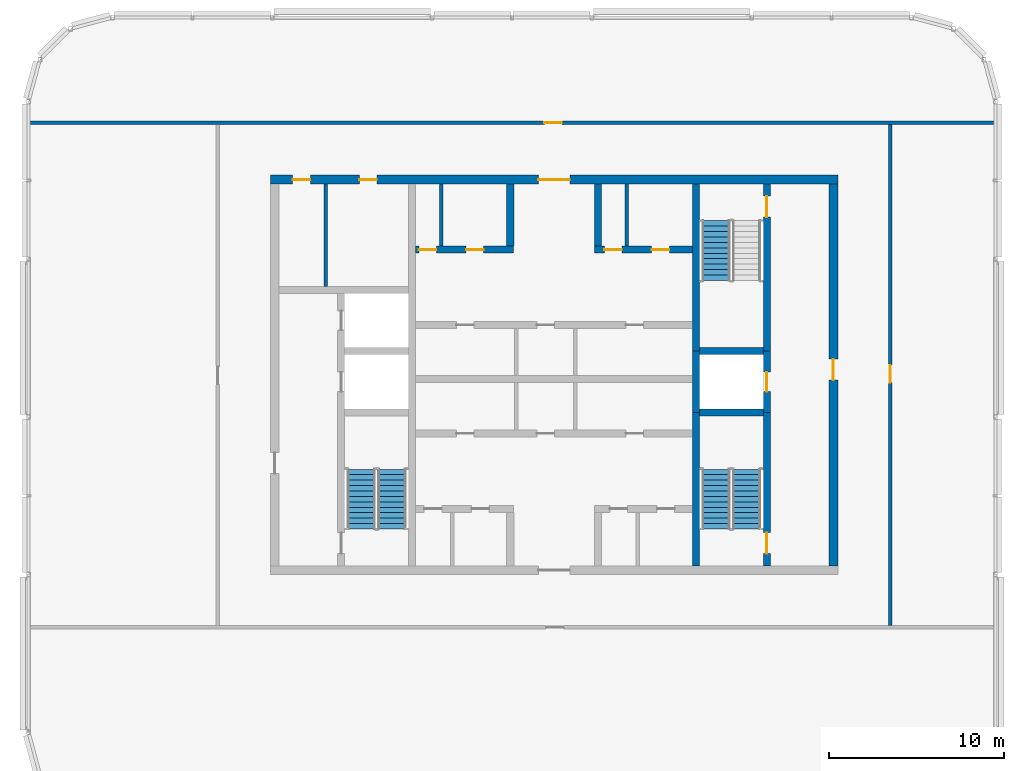
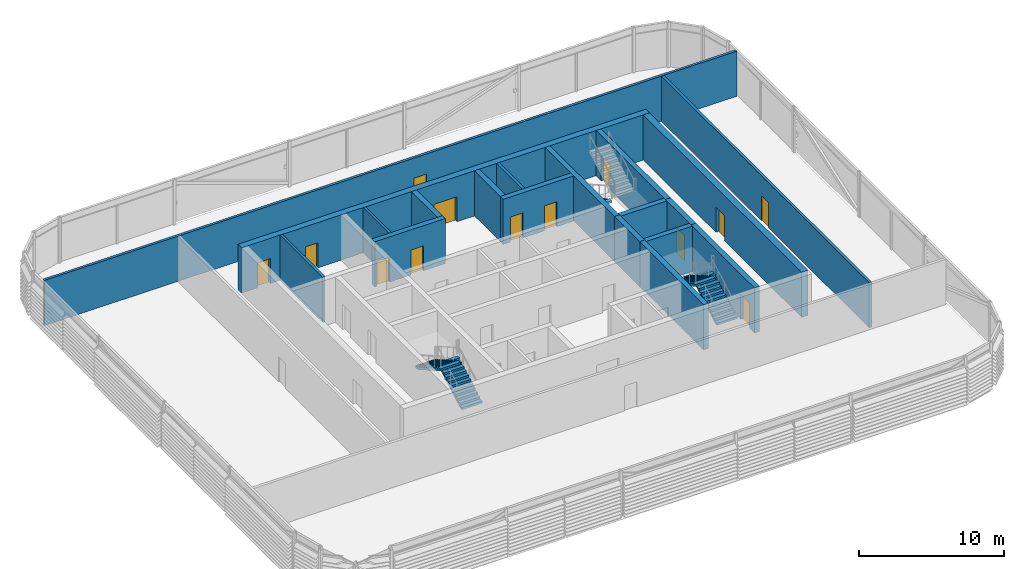
# One storey, part 16 of 28: 19 walls, 13 doors, 5 stair flights, 13 openings, 3 elements without a shape of their own.
"""IFC4 building model written with IfcOpenShell, lengths in metres."""

from ifc_helpers import new_model, si_unit, direction, frame, frame_2d, origin, place, context, subcontext, project, spatial, polyline, rectangle, outline, extrude, material, layer, layer_set, type_object, element, fill, aggregate, save


model = new_model("IFC4")

# Units and contexts
model_context = context("Model", 3, precision=1e-05, world=origin(), true_north=direction((0.0, 1.0)))
body_context = subcontext(model_context, "Body", "Model", "MODEL_VIEW")
ifc_project = project(units=[si_unit("LENGTHUNIT", "METRE"), si_unit("AREAUNIT", "SQUARE_METRE"), si_unit("VOLUMEUNIT", "CUBIC_METRE"), si_unit("PLANEANGLEUNIT", "RADIAN"), si_unit("MASSUNIT", "GRAM", prefix="KILO")], contexts=[model_context])

# Site, building, storey
site_placement = place(None, origin())
site = spatial("IfcSite", under=ifc_project, at=site_placement, CompositionType="ELEMENT")
building_placement = place(site_placement, origin())
building = spatial("IfcBuilding", under=site, at=building_placement, Name="Madar Terraces", CompositionType="ELEMENT")
storey_placement = place(building_placement, frame((0.0, 0.0, 305.89990234375)))
storey = spatial("IfcBuildingStorey", under=building, at=storey_placement, Name="L79", CompositionType="ELEMENT", Elevation=305.89990234375)

# Walls
ifc_material_1 = material(Name="Concrete C50/60", Category="concrete")
ifc_layer_1 = layer(ifc_material_1, 0.39990234375)
ifc_layer_set_1 = layer_set([ifc_layer_1], Name="Concrete C50/60 (CIW6 RC wall 400)")
wall_type_1 = type_object("IfcWallType", Name="CIW6 RC wall 400", PredefinedType="SHEAR", material=ifc_layer_set_1)
wall_1_placement = place(storey_placement, frame((39.300048828125, 15.5, 0.0), z_axis=(0.0, 0.0, 1.0), x_axis=(0.0, 1.0, 0.0)))
element("IfcWall", 1, at=wall_1_placement, inside=storey, type_object=wall_type_1, Name="CORE SHAFT WALL", PredefinedType="SHEAR", context=body_context, shape_type="SweptSolid", body=[
    extrude(rectangle(XDim=8.75, YDim=0.39990234375, at=frame_2d((4.375, 0.0))), origin(), (0.0, 0.0, 1.0), 3.800048828125),
])
wall_2_placement = place(storey_placement, frame((39.300048828125, 24.25, 0.0), z_axis=(0.0, 0.0, 1.0), x_axis=(0.0, 1.0, 0.0)))
element("IfcWall", 2, at=wall_2_placement, inside=storey, type_object=wall_type_1, Name="CORE SHAFT WALL", PredefinedType="SHEAR", context=body_context, shape_type="SweptSolid", body=[
    extrude(rectangle(XDim=3.5, YDim=0.39990234375, at=frame_2d((1.75, 0.0))), origin(), (0.0, 0.0, 1.0), 3.800048828125),
])
wall_3_placement = place(storey_placement, frame((39.300048828125, 27.75, 0.0), z_axis=(0.0, 0.0, 1.0), x_axis=(0.0, 1.0, 0.0)))
element("IfcWall", 3, at=wall_3_placement, inside=storey, type_object=wall_type_1, Name="CORE SHAFT WALL", PredefinedType="SHEAR", context=body_context, shape_type="SweptSolid", body=[
    extrude(rectangle(XDim=9.550048828125, YDim=0.39990234375, at=frame_2d((4.77490234375, 0.0))), origin(), (0.0, 0.0, 1.0), 3.800048828125),
])

# Wall, opening, door
wall_4_placement = place(storey_placement, frame((43.35009765625, 15.5, 0.0), z_axis=(0.0, 0.0, 1.0), x_axis=(0.0, 1.0, 0.0)))
wall_4 = element("IfcWall", 4, at=wall_4_placement, inside=storey, type_object=wall_type_1, Name="CORE SHAFT WALL", PredefinedType="SHEAR", context=body_context, shape_type="SweptSolid", body=[
    extrude(rectangle(XDim=8.75, YDim=0.39990234375, at=frame_2d((4.375, 0.0))), origin(), (0.0, 0.0, 1.0), 3.800048828125),
])
opening_1_placement = place(wall_4_placement, frame((0.699951171875, 0.0, 0.0)))
opening_1 = element("IfcOpeningElement", 5, at=opening_1_placement, cuts=wall_4, Name="Opening SD1", PredefinedType="OPENING", context=body_context, shape_type="SweptSolid", body=[
    extrude(rectangle(XDim=1.199951171875, YDim=2.10009765625, at=frame_2d((0.60009765625, 1.050048828125))), frame((0.0, 0.2099609375, 0.0), z_axis=(0.0, -1.0, 0.0), x_axis=(1.0, 0.0, 0.0)), (0.0, 0.0, 1.0), 0.419921875),
])
ifc_material_2 = material(Name="Steel door leaf", Category="steel")
door_type_1 = type_object("IfcDoorType", Name="Stair door 1200 x 2100", OperationType="NOTDEFINED", PredefinedType="DOOR", material=ifc_material_2)
door_1_placement = place(opening_1_placement, origin())
door_1 = element("IfcDoor", 6, at=door_1_placement, inside=storey, type_object=door_type_1, Name="STAIR DOOR", OperationType="SINGLE_SWING_RIGHT", OverallHeight=2.10009765625, OverallWidth=1.199951171875, PredefinedType="DOOR", context=body_context, shape_type="SweptSolid", body=[
    extrude(rectangle(XDim=1.199951171875, YDim=2.10009765625, at=frame_2d((0.60009765625, 1.050048828125))), frame((0.0, 0.02490234375, 0.0), z_axis=(0.0, -1.0, 0.0), x_axis=(1.0, 0.0, 0.0)), (0.0, 0.0, 1.0), 0.050048828125),
])
fill(opening_1, door_1)

wall_5_placement = place(storey_placement, frame((43.35009765625, 24.25, 0.0), z_axis=(0.0, 0.0, 1.0), x_axis=(0.0, 1.0, 0.0)))
wall_5 = element("IfcWall", 7, at=wall_5_placement, inside=storey, type_object=wall_type_1, Name="CORE SHAFT WALL", PredefinedType="SHEAR", context=body_context, shape_type="SweptSolid", body=[
    extrude(rectangle(XDim=3.5, YDim=0.39990234375, at=frame_2d((1.75, 0.0))), origin(), (0.0, 0.0, 1.0), 3.800048828125),
])
opening_2_placement = place(wall_5_placement, frame((1.199951171875, 0.0, 0.0)))
opening_2 = element("IfcOpeningElement", 8, at=opening_2_placement, cuts=wall_5, Name="Opening LD", PredefinedType="OPENING", context=body_context, shape_type="SweptSolid", body=[
    extrude(rectangle(XDim=1.10009765625, YDim=2.10009765625, at=frame_2d((0.550048828125, 1.050048828125))), frame((0.0, 0.2099609375, 0.0), z_axis=(0.0, -1.0, 0.0), x_axis=(1.0, 0.0, 0.0)), (0.0, 0.0, 1.0), 0.419921875),
])
ifc_material_3 = material(Name="Stainless steel panel", Category="steel")
door_type_2 = type_object("IfcDoorType", Name="Lift landing door 1100 x 2100", OperationType="DOUBLE_DOOR_SLIDING", PredefinedType="DOOR", material=ifc_material_3)
door_2_placement = place(opening_2_placement, origin())
door_2 = element("IfcDoor", 9, at=door_2_placement, inside=storey, type_object=door_type_2, Name="LIFT LANDING DOOR", OperationType="DOUBLE_DOOR_SLIDING", OverallHeight=2.10009765625, OverallWidth=1.10009765625, PredefinedType="DOOR", context=body_context, shape_type="SweptSolid", body=[
    extrude(rectangle(XDim=1.10009765625, YDim=2.10009765625, at=frame_2d((0.550048828125, 1.050048828125))), frame((0.0, 0.02490234375, 0.0), z_axis=(0.0, -1.0, 0.0), x_axis=(1.0, 0.0, 0.0)), (0.0, 0.0, 1.0), 0.050048828125),
])
fill(opening_2, door_2)

wall_6_placement = place(storey_placement, frame((43.35009765625, 27.75, 0.0), z_axis=(0.0, 0.0, 1.0), x_axis=(0.0, 1.0, 0.0)))
wall_6 = element("IfcWall", 10, at=wall_6_placement, inside=storey, type_object=wall_type_1, Name="CORE SHAFT WALL", PredefinedType="SHEAR", context=body_context, shape_type="SweptSolid", body=[
    extrude(rectangle(XDim=9.550048828125, YDim=0.39990234375, at=frame_2d((4.77490234375, 0.0))), origin(), (0.0, 0.0, 1.0), 3.800048828125),
])
opening_3_placement = place(wall_6_placement, frame((7.64990234375, 0.0, 0.0)))
opening_3 = element("IfcOpeningElement", 11, at=opening_3_placement, cuts=wall_6, Name="Opening SD1", PredefinedType="OPENING", context=body_context, shape_type="SweptSolid", body=[
    extrude(rectangle(XDim=1.199951171875, YDim=2.10009765625, at=frame_2d((0.60009765625, 1.050048828125))), frame((0.0, 0.2099609375, 0.0), z_axis=(0.0, -1.0, 0.0), x_axis=(1.0, 0.0, 0.0)), (0.0, 0.0, 1.0), 0.419921875),
])
door_3_placement = place(opening_3_placement, origin())
door_3 = element("IfcDoor", 12, at=door_3_placement, inside=storey, type_object=door_type_1, Name="STAIR DOOR", OperationType="SINGLE_SWING_LEFT", OverallHeight=2.10009765625, OverallWidth=1.199951171875, PredefinedType="DOOR", context=body_context, shape_type="SweptSolid", body=[
    extrude(rectangle(XDim=1.199951171875, YDim=2.10009765625, at=frame_2d((0.60009765625, 1.050048828125))), frame((0.0, 0.02490234375, 0.0), z_axis=(0.0, -1.0, 0.0), x_axis=(1.0, 0.0, 0.0)), (0.0, 0.0, 1.0), 0.050048828125),
])
fill(opening_3, door_3)

# Walls
for number, where, z_axis, x_axis, name in (
    (13, (39.5, 24.25, 0.0), (0.0, 0.0, 1.0), (1.0, 0.0, 0.0), "CORE SHAFT WALL"),
    (14, (39.5, 27.75, 0.0), (0.0, 0.0, 1.0), (1.0, 0.0, 0.0), "CORE SHAFT WALL"),
):
    element("IfcWall", number, at=place(storey_placement, frame(where, z_axis=z_axis, x_axis=x_axis)), inside=storey, type_object=wall_type_1, Name=name, PredefinedType="SHEAR", context=body_context, shape_type="SweptSolid", body=[
        extrude(rectangle(XDim=3.64990234375, YDim=0.39990234375, at=frame_2d((1.824951171875, 0.0))), origin(), (0.0, 0.0, 1.0), 3.800048828125),
    ])

# Wall, openings, doors
wall_7_placement = place(storey_placement, frame((23.300048828125, 33.550048828125, 0.0), z_axis=(0.0, 0.0, 1.0), x_axis=(1.0, 0.0, 0.0)))
wall_7 = element("IfcWall", 15, at=wall_7_placement, inside=storey, type_object=wall_type_1, Name="CORE SHAFT WALL", PredefinedType="SHEAR", context=body_context, shape_type="SweptSolid", body=[
    extrude(rectangle(XDim=5.599853515625, YDim=0.39990234375, at=frame_2d((2.7998046875, 0.0))), origin(), (0.0, 0.0, 1.0), 3.800048828125),
])
opening_4_placement = place(wall_7_placement, frame((0.177978515625, 0.0, 0.0)))
opening_4 = element("IfcOpeningElement", 16, at=opening_4_placement, cuts=wall_7, Name="Opening KD2", PredefinedType="OPENING", context=body_context, shape_type="SweptSolid", body=[
    extrude(rectangle(XDim=1.0, YDim=2.10009765625, at=frame_2d((0.5, 1.050048828125))), frame((0.0, 0.2099609375, 0.0), z_axis=(0.0, -1.0, 0.0), x_axis=(1.0, 0.0, 0.0)), (0.0, 0.0, 1.0), 0.419921875),
])
opening_5_placement = place(wall_7_placement, frame((2.8779296875, 0.0, 0.0)))
opening_5 = element("IfcOpeningElement", 17, at=opening_5_placement, cuts=wall_7, Name="Opening KD2", PredefinedType="OPENING", context=body_context, shape_type="SweptSolid", body=[
    extrude(rectangle(XDim=1.0, YDim=2.10009765625, at=frame_2d((0.5, 1.050048828125))), frame((0.0, 0.2099609375, 0.0), z_axis=(0.0, -1.0, 0.0), x_axis=(1.0, 0.0, 0.0)), (0.0, 0.0, 1.0), 0.419921875),
])
ifc_material_4 = material(Name="Steel door leaf", Category="steel")
door_type_3 = type_object("IfcDoorType", Name="Service room door 1000 x 2100", OperationType="NOTDEFINED", PredefinedType="DOOR", material=ifc_material_4)
door_4_placement = place(opening_4_placement, frame((1.0, 0.0, 0.0), z_axis=(0.0, 0.0, 1.0), x_axis=(-1.0, 0.0, 0.0)))
door_4 = element("IfcDoor", 18, at=door_4_placement, inside=storey, type_object=door_type_3, Name="SERVICE ROOM DOOR", OperationType="SINGLE_SWING_RIGHT", OverallHeight=2.10009765625, OverallWidth=1.0, PredefinedType="DOOR", context=body_context, shape_type="SweptSolid", body=[
    extrude(rectangle(XDim=1.0, YDim=2.10009765625, at=frame_2d((0.5, 1.050048828125))), frame((0.0, 0.02490234375, 0.0), z_axis=(0.0, -1.0, 0.0), x_axis=(1.0, 0.0, 0.0)), (0.0, 0.0, 1.0), 0.050048828125),
])
fill(opening_4, door_4)
door_5_placement = place(opening_5_placement, frame((1.0, 0.0, 0.0), z_axis=(0.0, 0.0, 1.0), x_axis=(-1.0, 0.0, 0.0)))
door_5 = element("IfcDoor", 19, at=door_5_placement, inside=storey, type_object=door_type_3, Name="SERVICE ROOM DOOR", OperationType="SINGLE_SWING_LEFT", OverallHeight=2.10009765625, OverallWidth=1.0, PredefinedType="DOOR", context=body_context, shape_type="SweptSolid", body=[
    extrude(rectangle(XDim=1.0, YDim=2.10009765625, at=frame_2d((0.5, 1.050048828125))), frame((0.0, 0.02490234375, 0.0), z_axis=(0.0, -1.0, 0.0), x_axis=(1.0, 0.0, 0.0)), (0.0, 0.0, 1.0), 0.050048828125),
])
fill(opening_5, door_5)

wall_8_placement = place(storey_placement, frame((33.5, 33.550048828125, 0.0), z_axis=(0.0, 0.0, 1.0), x_axis=(1.0, 0.0, 0.0)))
wall_8 = element("IfcWall", 20, at=wall_8_placement, inside=storey, type_object=wall_type_1, Name="CORE SHAFT WALL", PredefinedType="SHEAR", context=body_context, shape_type="SweptSolid", body=[
    extrude(rectangle(XDim=5.60009765625, YDim=0.39990234375, at=frame_2d((2.800048828125, 0.0))), origin(), (0.0, 0.0, 1.0), 3.800048828125),
])
opening_6_placement = place(wall_8_placement, frame((0.577880859375, 0.0, 0.0)))
opening_6 = element("IfcOpeningElement", 21, at=opening_6_placement, cuts=wall_8, Name="Opening KD2", PredefinedType="OPENING", context=body_context, shape_type="SweptSolid", body=[
    extrude(rectangle(XDim=1.0, YDim=2.10009765625, at=frame_2d((0.5, 1.050048828125))), frame((0.0, 0.2099609375, 0.0), z_axis=(0.0, -1.0, 0.0), x_axis=(1.0, 0.0, 0.0)), (0.0, 0.0, 1.0), 0.419921875),
])
opening_7_placement = place(wall_8_placement, frame((3.278076171875, 0.0, 0.0)))
opening_7 = element("IfcOpeningElement", 22, at=opening_7_placement, cuts=wall_8, Name="Opening KD2", PredefinedType="OPENING", context=body_context, shape_type="SweptSolid", body=[
    extrude(rectangle(XDim=1.0, YDim=2.10009765625, at=frame_2d((0.5, 1.050048828125))), frame((0.0, 0.2099609375, 0.0), z_axis=(0.0, -1.0, 0.0), x_axis=(1.0, 0.0, 0.0)), (0.0, 0.0, 1.0), 0.419921875),
])
door_6_placement = place(opening_6_placement, frame((1.0, 0.0, 0.0), z_axis=(0.0, 0.0, 1.0), x_axis=(-1.0, 0.0, 0.0)))
door_6 = element("IfcDoor", 23, at=door_6_placement, inside=storey, type_object=door_type_3, Name="SERVICE ROOM DOOR", OperationType="SINGLE_SWING_RIGHT", OverallHeight=2.10009765625, OverallWidth=1.0, PredefinedType="DOOR", context=body_context, shape_type="SweptSolid", body=[
    extrude(rectangle(XDim=1.0, YDim=2.10009765625, at=frame_2d((0.5, 1.050048828125))), frame((0.0, 0.02490234375, 0.0), z_axis=(0.0, -1.0, 0.0), x_axis=(1.0, 0.0, 0.0)), (0.0, 0.0, 1.0), 0.050048828125),
])
fill(opening_6, door_6)
door_7_placement = place(opening_7_placement, frame((1.0, 0.0, 0.0), z_axis=(0.0, 0.0, 1.0), x_axis=(-1.0, 0.0, 0.0)))
door_7 = element("IfcDoor", 24, at=door_7_placement, inside=storey, type_object=door_type_3, Name="SERVICE ROOM DOOR", OperationType="SINGLE_SWING_LEFT", OverallHeight=2.10009765625, OverallWidth=1.0, PredefinedType="DOOR", context=body_context, shape_type="SweptSolid", body=[
    extrude(rectangle(XDim=1.0, YDim=2.10009765625, at=frame_2d((0.5, 1.050048828125))), frame((0.0, 0.02490234375, 0.0), z_axis=(0.0, -1.0, 0.0), x_axis=(1.0, 0.0, 0.0)), (0.0, 0.0, 1.0), 0.050048828125),
])
fill(opening_7, door_7)

# Walls
for number, where, z_axis, x_axis, name in (
    (25, (28.699951171875, 33.75, 0.0), (0.0, 0.0, 1.0), (0.0, 1.0, 0.0), "CORE SHAFT WALL"),
    (26, (33.699951171875, 33.75, 0.0), (0.0, 0.0, 1.0), (0.0, 1.0, 0.0), "CORE SHAFT WALL"),
):
    element("IfcWall", number, at=place(storey_placement, frame(where, z_axis=z_axis, x_axis=x_axis)), inside=storey, type_object=wall_type_1, Name=name, PredefinedType="SHEAR", context=body_context, shape_type="SweptSolid", body=[
        extrude(rectangle(XDim=3.550048828125, YDim=0.39990234375, at=frame_2d((1.77490234375, 0.0))), origin(), (0.0, 0.0, 1.0), 3.800048828125),
    ])

# Wall, openings, doors
ifc_material_5 = material(Name="Concrete C50/60", Category="concrete")
ifc_layer_2 = layer(ifc_material_5, 0.5)
ifc_layer_set_2 = layer_set([ifc_layer_2], Name="Concrete C50/60 (CRW6 RC wall 500)")
wall_type_2 = type_object("IfcWallType", Name="CRW6 RC wall 500", PredefinedType="SHEAR", material=ifc_layer_set_2)
wall_9_placement = place(storey_placement, frame((15.0, 37.550048828125, 0.0), z_axis=(0.0, 0.0, 1.0), x_axis=(1.0, 0.0, 0.0)))
wall_9 = element("IfcWall", 27, at=wall_9_placement, inside=storey, type_object=wall_type_2, Name="CORE OUTER WALL", PredefinedType="SHEAR", context=body_context, shape_type="SweptSolid", body=[
    extrude(rectangle(XDim=32.39990234375, YDim=0.5, at=frame_2d((16.199951171875, 0.0))), origin(), (0.0, 0.0, 1.0), 3.800048828125),
])
opening_8_placement = place(wall_9_placement, frame((15.300048828125, 0.0, 0.0)))
opening_8 = element("IfcOpeningElement", 28, at=opening_8_placement, cuts=wall_9, Name="Opening KD1", PredefinedType="OPENING", context=body_context, shape_type="SweptSolid", body=[
    extrude(rectangle(XDim=1.800048828125, YDim=2.10009765625, at=frame_2d((0.89990234375, 1.050048828125))), frame((0.0, 0.260009765625, 0.0), z_axis=(0.0, -1.0, 0.0), x_axis=(1.0, 0.0, 0.0)), (0.0, 0.0, 1.0), 0.52001953125),
])
opening_9_placement = place(wall_9_placement, frame((1.281982421875, 0.0, 0.0)))
opening_9 = element("IfcOpeningElement", 29, at=opening_9_placement, cuts=wall_9, Name="Opening KD2", PredefinedType="OPENING", context=body_context, shape_type="SweptSolid", body=[
    extrude(rectangle(XDim=1.0, YDim=2.10009765625, at=frame_2d((0.5, 1.050048828125))), frame((0.0, 0.260009765625, 0.0), z_axis=(0.0, -1.0, 0.0), x_axis=(1.0, 0.0, 0.0)), (0.0, 0.0, 1.0), 0.52001953125),
])
opening_10_placement = place(wall_9_placement, frame((5.08203125, 0.0, 0.0)))
opening_10 = element("IfcOpeningElement", 30, at=opening_10_placement, cuts=wall_9, Name="Opening KD2", PredefinedType="OPENING", context=body_context, shape_type="SweptSolid", body=[
    extrude(rectangle(XDim=1.0, YDim=2.10009765625, at=frame_2d((0.5, 1.050048828125))), frame((0.0, 0.260009765625, 0.0), z_axis=(0.0, -1.0, 0.0), x_axis=(1.0, 0.0, 0.0)), (0.0, 0.0, 1.0), 0.52001953125),
])
ifc_material_6 = material(Name="Steel door leaf", Category="steel")
door_type_4 = type_object("IfcDoorType", Name="Lobby door pair 1800 x 2100", OperationType="DOUBLE_DOOR_SINGLE_SWING", PredefinedType="DOOR", material=ifc_material_6)
door_8_placement = place(opening_8_placement, origin())
door_8 = element("IfcDoor", 31, at=door_8_placement, inside=storey, type_object=door_type_4, Name="LIFT LOBBY DOOR", OperationType="DOUBLE_DOOR_SINGLE_SWING", OverallHeight=2.10009765625, OverallWidth=1.800048828125, PredefinedType="DOOR", context=body_context, shape_type="SweptSolid", body=[
    extrude(rectangle(XDim=1.800048828125, YDim=2.10009765625, at=frame_2d((0.89990234375, 1.050048828125))), frame((0.0, 0.02490234375, 0.0), z_axis=(0.0, -1.0, 0.0), x_axis=(1.0, 0.0, 0.0)), (0.0, 0.0, 1.0), 0.050048828125),
])
fill(opening_8, door_8)
door_9_placement = place(opening_9_placement, origin())
door_9 = element("IfcDoor", 32, at=door_9_placement, inside=storey, type_object=door_type_3, Name="SERVICE ROOM DOOR", OperationType="SINGLE_SWING_RIGHT", OverallHeight=2.10009765625, OverallWidth=1.0, PredefinedType="DOOR", context=body_context, shape_type="SweptSolid", body=[
    extrude(rectangle(XDim=1.0, YDim=2.10009765625, at=frame_2d((0.5, 1.050048828125))), frame((0.0, 0.02490234375, 0.0), z_axis=(0.0, -1.0, 0.0), x_axis=(1.0, 0.0, 0.0)), (0.0, 0.0, 1.0), 0.050048828125),
])
fill(opening_9, door_9)
door_10_placement = place(opening_10_placement, origin())
door_10 = element("IfcDoor", 33, at=door_10_placement, inside=storey, type_object=door_type_3, Name="SERVICE ROOM DOOR", OperationType="SINGLE_SWING_LEFT", OverallHeight=2.10009765625, OverallWidth=1.0, PredefinedType="DOOR", context=body_context, shape_type="SweptSolid", body=[
    extrude(rectangle(XDim=1.0, YDim=2.10009765625, at=frame_2d((0.5, 1.050048828125))), frame((0.0, 0.02490234375, 0.0), z_axis=(0.0, -1.0, 0.0), x_axis=(1.0, 0.0, 0.0)), (0.0, 0.0, 1.0), 0.050048828125),
])
fill(opening_10, door_10)

# Wall, opening, door
wall_10_placement = place(storey_placement, frame((47.14990234375, 15.5, 0.0), z_axis=(0.0, 0.0, 1.0), x_axis=(0.0, 1.0, 0.0)))
wall_10 = element("IfcWall", 34, at=wall_10_placement, inside=storey, type_object=wall_type_2, Name="CORE OUTER WALL", PredefinedType="SHEAR", context=body_context, shape_type="SweptSolid", body=[
    extrude(rectangle(XDim=21.800048828125, YDim=0.5, at=frame_2d((10.89990234375, 0.0))), origin(), (0.0, 0.0, 1.0), 3.800048828125),
])
opening_11_placement = place(wall_10_placement, frame((10.60009765625, 0.0, 0.0)))
opening_11 = element("IfcOpeningElement", 35, at=opening_11_placement, cuts=wall_10, Name="Opening SD1", PredefinedType="OPENING", context=body_context, shape_type="SweptSolid", body=[
    extrude(rectangle(XDim=1.199951171875, YDim=2.10009765625, at=frame_2d((0.60009765625, 1.050048828125))), frame((0.0, 0.260009765625, 0.0), z_axis=(0.0, -1.0, 0.0), x_axis=(1.0, 0.0, 0.0)), (0.0, 0.0, 1.0), 0.52001953125),
])
door_11_placement = place(opening_11_placement, origin())
door_11 = element("IfcDoor", 36, at=door_11_placement, inside=storey, type_object=door_type_1, Name="STAIR DOOR", OperationType="SINGLE_SWING_LEFT", OverallHeight=2.10009765625, OverallWidth=1.199951171875, PredefinedType="DOOR", context=body_context, shape_type="SweptSolid", body=[
    extrude(rectangle(XDim=1.199951171875, YDim=2.10009765625, at=frame_2d((0.60009765625, 1.050048828125))), frame((0.0, 0.02490234375, 0.0), z_axis=(0.0, -1.0, 0.0), x_axis=(1.0, 0.0, 0.0)), (0.0, 0.0, 1.0), 0.050048828125),
])
fill(opening_11, door_11)

# Walls
ifc_material_7 = material(Name="Masonry blockwork", Category="masonry")
ifc_layer_3 = layer(ifc_material_7, 0.199951171875)
ifc_layer_set_3 = layer_set([ifc_layer_3], Name="Core partition 200 blockwork")
wall_type_3 = type_object("IfcWallType", Name="Core partition 200 blockwork", PredefinedType="PARTITIONING", material=ifc_layer_set_3)
wall_11_placement = place(storey_placement, frame((18.1640625, 31.449951171875, 0.0), z_axis=(0.0, 0.0, 1.0), x_axis=(0.0, 1.0, 0.0)))
element("IfcWall", 37, at=wall_11_placement, inside=storey, type_object=wall_type_3, Name="SERVICE ROOM PARTITION", PredefinedType="PARTITIONING", context=body_context, shape_type="SweptSolid", body=[
    extrude(rectangle(XDim=5.85009765625, YDim=0.199951171875, at=frame_2d((2.925048828125, 0.0))), origin(), (0.0, 0.0, 1.0), 3.800048828125),
])
for number, where, z_axis, x_axis, name in (
    (38, (24.756103515625, 33.75, 0.0), (0.0, 0.0, 1.0), (0.0, 1.0, 0.0), "SERVICE ROOM PARTITION"),
    (39, (35.35595703125, 33.75, 0.0), (0.0, 0.0, 1.0), (0.0, 1.0, 0.0), "SERVICE ROOM PARTITION"),
):
    element("IfcWall", number, at=place(storey_placement, frame(where, z_axis=z_axis, x_axis=x_axis)), inside=storey, type_object=wall_type_3, Name=name, PredefinedType="PARTITIONING", context=body_context, shape_type="SweptSolid", body=[
        extrude(rectangle(XDim=3.550048828125, YDim=0.199951171875, at=frame_2d((1.77490234375, 0.0))), origin(), (0.0, 0.0, 1.0), 3.800048828125),
    ])

# Wall, opening, door
ifc_material_8 = material(Name="Blockwork", Category="masonry")
ifc_layer_4 = layer(ifc_material_8, 0.199951171875)
ifc_layer_set_4 = layer_set([ifc_layer_4], Name="Partition 200 EI 120")
wall_type_4 = type_object("IfcWallType", Name="Partition 200 EI 120", PredefinedType="PARTITIONING", material=ifc_layer_set_4)
wall_12_placement = place(storey_placement, frame((1.300048828125, 40.800048828125, 0.0), z_axis=(0.0, 0.0, 1.0), x_axis=(1.0, 0.0, 0.0)))
wall_12 = element("IfcWall", 40, at=wall_12_placement, inside=storey, type_object=wall_type_4, Name="Wall STORE PLANT ROOM + WATER TANK ROOM", PredefinedType="PARTITIONING", context=body_context, shape_type="SweptSolid", body=[
    extrude(rectangle(XDim=55.0, YDim=0.199951171875, at=frame_2d((27.5, 0.0))), origin(), (0.0, 0.0, 1.0), 3.800048828125),
])
opening_12_placement = place(wall_12_placement, frame((29.35009765625, 0.0, 0.0)))
opening_12 = element("IfcOpeningElement", 41, at=opening_12_placement, cuts=wall_12, Name="Opening D33", PredefinedType="OPENING", context=body_context, shape_type="SweptSolid", body=[
    extrude(rectangle(XDim=1.0, YDim=2.10009765625, at=frame_2d((0.5, 1.050048828125))), frame((0.0, 0.10986328125, 0.0), z_axis=(0.0, -1.0, 0.0), x_axis=(1.0, 0.0, 0.0)), (0.0, 0.0, 1.0), 0.219970703125),
])
ifc_material_9 = material(Name="Timber door leaf, fire-rated", Category="wood")
door_type_5 = type_object("IfcDoorType", Name="Podium door 1000 x 2100 FD90S", OperationType="NOTDEFINED", PredefinedType="DOOR", material=ifc_material_9)
door_12_placement = place(opening_12_placement, origin())
door_12 = element("IfcDoor", 42, at=door_12_placement, inside=storey, type_object=door_type_5, Name="Door WATER TANK ROOM / RING CORRIDOR", OperationType="SINGLE_SWING_LEFT", OverallHeight=2.10009765625, OverallWidth=1.0, PredefinedType="DOOR", context=body_context, shape_type="SweptSolid", body=[
    extrude(rectangle(XDim=1.0, YDim=2.10009765625, at=frame_2d((0.5, 1.050048828125))), frame((0.0, 0.02490234375, 0.0), z_axis=(0.0, -1.0, 0.0), x_axis=(1.0, 0.0, 0.0)), (0.0, 0.0, 1.0), 0.050048828125),
])
fill(opening_12, door_12)

wall_13_placement = place(storey_placement, frame((50.39990234375, 40.699951171875, 0.0), z_axis=(0.0, 0.0, 1.0), x_axis=(0.0, -1.0, 0.0)))
wall_13 = element("IfcWall", 43, at=wall_13_placement, inside=storey, type_object=wall_type_4, Name="Wall COOLING PLANT ROOM / RING CORRIDOR", PredefinedType="PARTITIONING", context=body_context, shape_type="SweptSolid", body=[
    extrude(rectangle(XDim=28.599853515625, YDim=0.199951171875, at=frame_2d((14.2998046875, 0.0))), origin(), (0.0, 0.0, 1.0), 3.800048828125),
])
opening_13_placement = place(wall_13_placement, frame((13.75, 0.0, 0.0)))
opening_13 = element("IfcOpeningElement", 44, at=opening_13_placement, cuts=wall_13, Name="Opening D33", PredefinedType="OPENING", context=body_context, shape_type="SweptSolid", body=[
    extrude(rectangle(XDim=1.0, YDim=2.10009765625, at=frame_2d((0.5, 1.050048828125))), frame((0.0, 0.10986328125, 0.0), z_axis=(0.0, -1.0, 0.0), x_axis=(1.0, 0.0, 0.0)), (0.0, 0.0, 1.0), 0.219970703125),
])
door_13_placement = place(opening_13_placement, origin())
door_13 = element("IfcDoor", 45, at=door_13_placement, inside=storey, type_object=door_type_5, Name="Door COOLING PLANT ROOM / RING CORRIDOR", OperationType="SINGLE_SWING_LEFT", OverallHeight=2.10009765625, OverallWidth=1.0, PredefinedType="DOOR", context=body_context, shape_type="SweptSolid", body=[
    extrude(rectangle(XDim=1.0, YDim=2.10009765625, at=frame_2d((0.5, 1.050048828125))), frame((0.0, 0.02490234375, 0.0), z_axis=(0.0, -1.0, 0.0), x_axis=(1.0, 0.0, 0.0)), (0.0, 0.0, 1.0), 0.050048828125),
])
fill(opening_13, door_13)

# Stair, stair flights
ifc_material_10 = material(Name="Concrete C50/60", Category="concrete")
stair_type_1 = type_object("IfcStairType", Name="Stair ST1 protected exit", PredefinedType="HALF_TURN_STAIR", material=ifc_material_10)
stair_1_placement = place(storey_placement, origin())
stair_1 = element("IfcStair", 46, at=stair_1_placement, inside=storey, type_object=stair_type_1, Name="L79 Protected Exit Stair ST1", PredefinedType="HALF_TURN_STAIR")
ifc_material_11 = material(Name="Concrete C50/60", Category="concrete")
stair_flight_type_1 = type_object("IfcStairFlightType", Name="Stair flight ST1-F6, 1600 wide, 12 risers", PredefinedType="STRAIGHT", material=ifc_material_11)
stair_flight_1_placement = place(storey_placement, frame((21.949951171875, 17.60009765625, 0.0), z_axis=(0.0, 0.0, 1.0), x_axis=(0.0, 1.0, 0.0)))
stair_flight_1 = element("IfcStairFlight", 47, at=stair_flight_1_placement, type_object=stair_flight_type_1, Name="ST1 flight 1", NumberOfRisers=12, NumberOfTreads=11, PredefinedType="STRAIGHT", RiserHeight=0.175, TreadLength=0.31, context=body_context, shape_type="SweptSolid", body=[
    extrude(outline(polyline([(0.0, 0.0), (0.0, 0.175048828125), (0.31005859375, 0.175048828125), (0.31005859375, 0.35009765625), (0.6201171875, 0.35009765625), (0.6201171875, 0.52490234375), (0.929931640625, 0.52490234375), (0.929931640625, 0.699951171875), (1.239990234375, 0.699951171875), (1.239990234375, 0.875), (1.550048828125, 0.875), (1.550048828125, 1.050048828125), (1.860107421875, 1.050048828125), (1.860107421875, 1.22509765625), (2.169921875, 1.22509765625), (2.169921875, 1.39990234375), (2.47998046875, 1.39990234375), (2.47998046875, 1.574951171875), (2.7900390625, 1.574951171875), (2.7900390625, 1.75), (3.10009765625, 1.75), (3.10009765625, 1.925048828125), (3.409912109375, 1.925048828125), (3.409912109375, 2.10009765625), (3.409912109375, 1.7529296875), (0.304931640625, 0.0), (0.0, 0.0)])), frame((0.0, 0.800048828125, 0.0), z_axis=(0.0, -1.0, 0.0), x_axis=(1.0, 0.0, 0.0)), (0.0, 0.0, 1.0), 1.60009765625),
])
stair_flight_2_placement = place(storey_placement, frame((20.199951171875, 21.010009765625, 2.10009765625), z_axis=(0.0, 0.0, 1.0), x_axis=(0.0, -1.0, 0.0)))
stair_flight_2 = element("IfcStairFlight", 48, at=stair_flight_2_placement, type_object=stair_flight_type_1, Name="ST1 flight 2", NumberOfRisers=12, NumberOfTreads=11, PredefinedType="STRAIGHT", RiserHeight=0.175, TreadLength=0.31, context=body_context, shape_type="SweptSolid", body=[
    extrude(outline(polyline([(0.0, 0.0), (0.0, 0.175048828125), (0.31005859375, 0.175048828125), (0.31005859375, 0.35009765625), (0.6201171875, 0.35009765625), (0.6201171875, 0.52490234375), (0.929931640625, 0.52490234375), (0.929931640625, 0.699951171875), (1.239990234375, 0.699951171875), (1.239990234375, 0.875), (1.550048828125, 0.875), (1.550048828125, 1.050048828125), (1.860107421875, 1.050048828125), (1.860107421875, 1.22509765625), (2.169921875, 1.22509765625), (2.169921875, 1.39990234375), (2.47998046875, 1.39990234375), (2.47998046875, 1.574951171875), (2.7900390625, 1.574951171875), (2.7900390625, 1.75), (3.10009765625, 1.75), (3.10009765625, 1.925048828125), (3.409912109375, 1.925048828125), (3.409912109375, 2.10009765625), (3.409912109375, 1.7529296875), (0.304931640625, 0.0), (0.0, 0.0)])), frame((0.0, 0.800048828125, 0.0), z_axis=(0.0, -1.0, 0.0), x_axis=(1.0, 0.0, 0.0)), (0.0, 0.0, 1.0), 1.60009765625),
])
aggregate(stair_1, [stair_flight_1, stair_flight_2])

# Stair, stair flight
ifc_material_12 = material(Name="Concrete C50/60", Category="concrete")
stair_type_2 = type_object("IfcStairType", Name="Stair ST2 protected exit", PredefinedType="HALF_TURN_STAIR", material=ifc_material_12)
stair_2_placement = place(storey_placement, origin())
stair_2 = element("IfcStair", 49, at=stair_2_placement, inside=storey, type_object=stair_type_2, Name="L79 Protected Exit Stair ST2", PredefinedType="HALF_TURN_STAIR")
ifc_material_13 = material(Name="Concrete C50/60", Category="concrete")
stair_flight_type_2 = type_object("IfcStairFlightType", Name="Stair flight ST2-F6, 1600 wide, 12 risers", PredefinedType="STRAIGHT", material=ifc_material_13)
stair_flight_3_placement = place(storey_placement, frame((40.449951171875, 35.199951171875, 0.0), z_axis=(0.0, 0.0, 1.0), x_axis=(0.0, -1.0, 0.0)))
stair_flight_3 = element("IfcStairFlight", 50, at=stair_flight_3_placement, type_object=stair_flight_type_2, Name="ST2 flight 1", NumberOfRisers=12, NumberOfTreads=11, PredefinedType="STRAIGHT", RiserHeight=0.175, TreadLength=0.31, context=body_context, shape_type="SweptSolid", body=[
    extrude(outline(polyline([(0.0, 0.0), (0.0, 0.175048828125), (0.31005859375, 0.175048828125), (0.31005859375, 0.35009765625), (0.6201171875, 0.35009765625), (0.6201171875, 0.52490234375), (0.929931640625, 0.52490234375), (0.929931640625, 0.699951171875), (1.239990234375, 0.699951171875), (1.239990234375, 0.875), (1.550048828125, 0.875), (1.550048828125, 1.050048828125), (1.860107421875, 1.050048828125), (1.860107421875, 1.22509765625), (2.169921875, 1.22509765625), (2.169921875, 1.39990234375), (2.47998046875, 1.39990234375), (2.47998046875, 1.574951171875), (2.7900390625, 1.574951171875), (2.7900390625, 1.75), (3.10009765625, 1.75), (3.10009765625, 1.925048828125), (3.409912109375, 1.925048828125), (3.409912109375, 2.10009765625), (3.409912109375, 1.7529296875), (0.304931640625, 0.0), (0.0, 0.0)])), frame((0.0, 0.800048828125, 0.0), z_axis=(0.0, -1.0, 0.0), x_axis=(1.0, 0.0, 0.0)), (0.0, 0.0, 1.0), 1.60009765625),
])
aggregate(stair_2, [stair_flight_3])

# Stair, stair flights
ifc_material_14 = material(Name="Concrete C50/60", Category="concrete")
stair_type_3 = type_object("IfcStairType", Name="Stair ST3 protected exit", PredefinedType="HALF_TURN_STAIR", material=ifc_material_14)
stair_3_placement = place(storey_placement, origin())
stair_3 = element("IfcStair", 51, at=stair_3_placement, inside=storey, type_object=stair_type_3, Name="L79 Protected Exit Stair ST3", PredefinedType="HALF_TURN_STAIR")
ifc_material_15 = material(Name="Concrete C50/60", Category="concrete")
stair_flight_type_3 = type_object("IfcStairFlightType", Name="Stair flight ST3-F6, 1600 wide, 12 risers", PredefinedType="STRAIGHT", material=ifc_material_15)
stair_flight_4_placement = place(storey_placement, frame((42.199951171875, 17.60009765625, 0.0), z_axis=(0.0, 0.0, 1.0), x_axis=(0.0, 1.0, 0.0)))
stair_flight_4 = element("IfcStairFlight", 52, at=stair_flight_4_placement, type_object=stair_flight_type_3, Name="ST3 flight 1", NumberOfRisers=12, NumberOfTreads=11, PredefinedType="STRAIGHT", RiserHeight=0.175, TreadLength=0.31, context=body_context, shape_type="SweptSolid", body=[
    extrude(outline(polyline([(0.0, 0.0), (0.0, 0.175048828125), (0.31005859375, 0.175048828125), (0.31005859375, 0.35009765625), (0.6201171875, 0.35009765625), (0.6201171875, 0.52490234375), (0.929931640625, 0.52490234375), (0.929931640625, 0.699951171875), (1.239990234375, 0.699951171875), (1.239990234375, 0.875), (1.550048828125, 0.875), (1.550048828125, 1.050048828125), (1.860107421875, 1.050048828125), (1.860107421875, 1.22509765625), (2.169921875, 1.22509765625), (2.169921875, 1.39990234375), (2.47998046875, 1.39990234375), (2.47998046875, 1.574951171875), (2.7900390625, 1.574951171875), (2.7900390625, 1.75), (3.10009765625, 1.75), (3.10009765625, 1.925048828125), (3.409912109375, 1.925048828125), (3.409912109375, 2.10009765625), (3.409912109375, 1.7529296875), (0.304931640625, 0.0), (0.0, 0.0)])), frame((0.0, 0.800048828125, 0.0), z_axis=(0.0, -1.0, 0.0), x_axis=(1.0, 0.0, 0.0)), (0.0, 0.0, 1.0), 1.60009765625),
])
stair_flight_5_placement = place(storey_placement, frame((40.449951171875, 21.010009765625, 2.10009765625), z_axis=(0.0, 0.0, 1.0), x_axis=(0.0, -1.0, 0.0)))
stair_flight_5 = element("IfcStairFlight", 53, at=stair_flight_5_placement, type_object=stair_flight_type_3, Name="ST3 flight 2", NumberOfRisers=12, NumberOfTreads=11, PredefinedType="STRAIGHT", RiserHeight=0.175, TreadLength=0.31, context=body_context, shape_type="SweptSolid", body=[
    extrude(outline(polyline([(0.0, 0.0), (0.0, 0.175048828125), (0.31005859375, 0.175048828125), (0.31005859375, 0.35009765625), (0.6201171875, 0.35009765625), (0.6201171875, 0.52490234375), (0.929931640625, 0.52490234375), (0.929931640625, 0.699951171875), (1.239990234375, 0.699951171875), (1.239990234375, 0.875), (1.550048828125, 0.875), (1.550048828125, 1.050048828125), (1.860107421875, 1.050048828125), (1.860107421875, 1.22509765625), (2.169921875, 1.22509765625), (2.169921875, 1.39990234375), (2.47998046875, 1.39990234375), (2.47998046875, 1.574951171875), (2.7900390625, 1.574951171875), (2.7900390625, 1.75), (3.10009765625, 1.75), (3.10009765625, 1.925048828125), (3.409912109375, 1.925048828125), (3.409912109375, 2.10009765625), (3.409912109375, 1.7529296875), (0.304931640625, 0.0), (0.0, 0.0)])), frame((0.0, 0.800048828125, 0.0), z_axis=(0.0, -1.0, 0.0), x_axis=(1.0, 0.0, 0.0)), (0.0, 0.0, 1.0), 1.60009765625),
])
aggregate(stair_3, [stair_flight_4, stair_flight_5])

save(model, "model.ifc")
